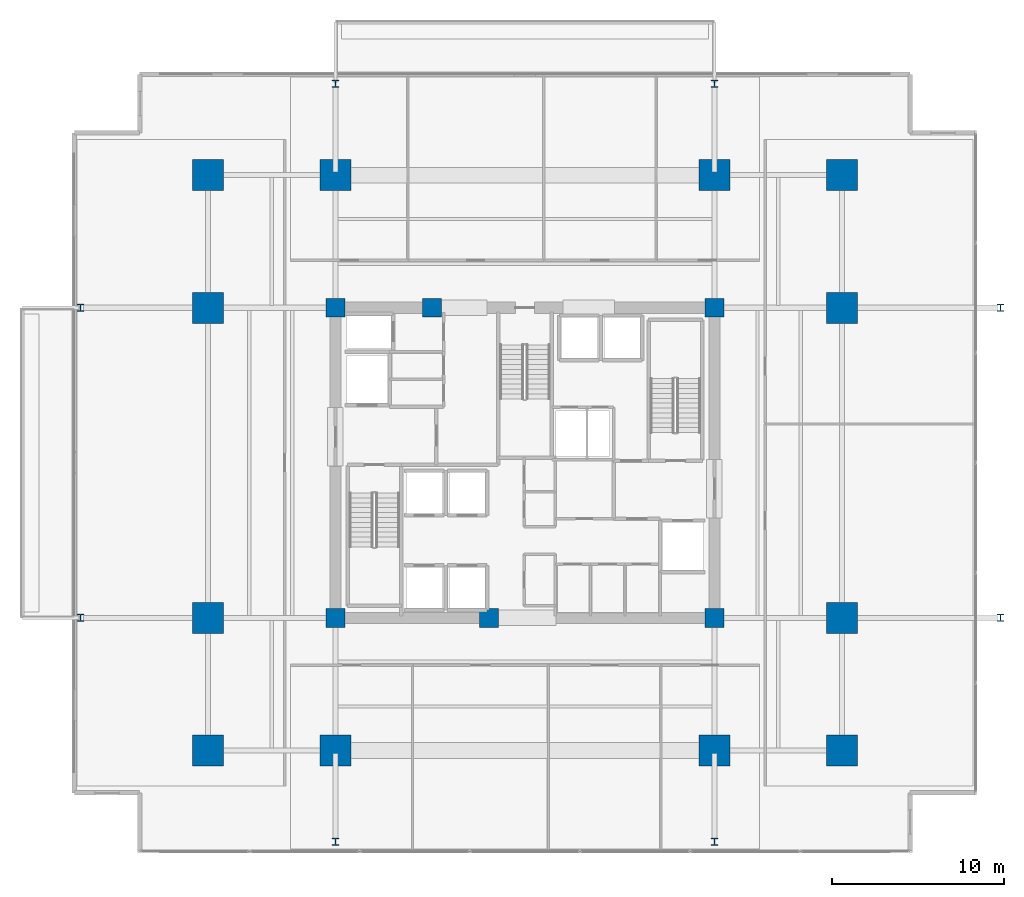
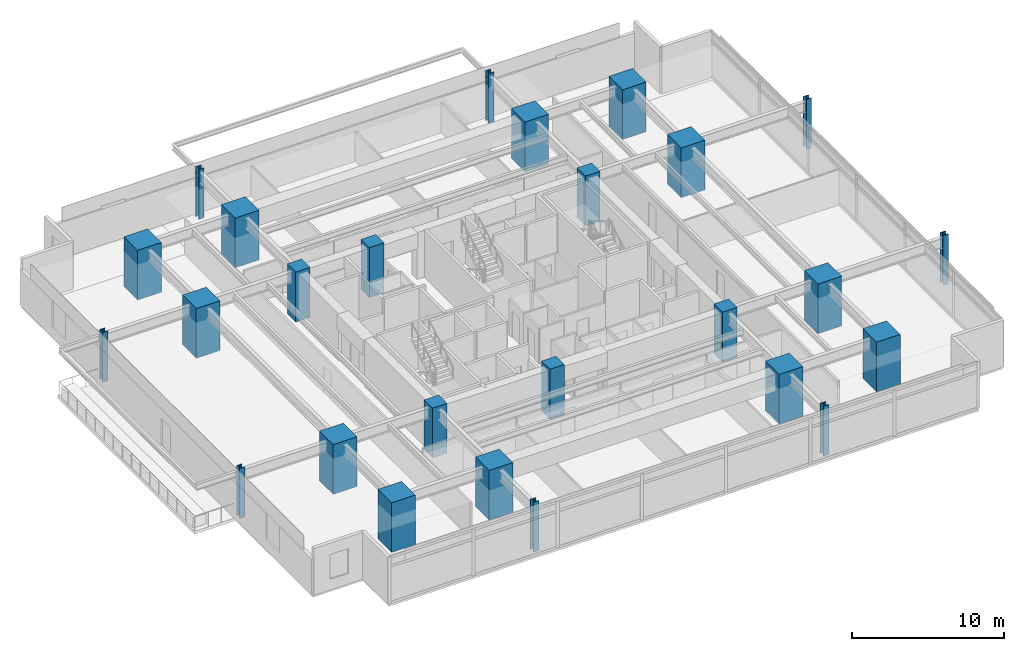
# One storey, part 1 of 20: 26 columns.
"""IFC4 building model written with IfcOpenShell, lengths in metres."""

import ifcopenshell
import ifcopenshell.guid

model = None  # the IFC model being written
_history = None  # IfcOwnerHistory: only IFC2X3 demands one
_inside = {}  # id of a spatial element -> (the spatial element, [elements in it])
_under = {}  # id of a project, library or spatial element -> (it, [spatial elements below it])
_declared = {}  # id of a project -> (the project, [libraries it declares])
_typed = {}  # id of a type object -> (the type object, [elements of that type])
_made_of = {}  # id of a material, layer set ... -> (it, [elements and type objects made of it])


def new_model(schema):
    """Start an empty IFC model of exactly this schema.

    Asked for "IFC4X3", IfcOpenShell would pick the latest addendum, in which some entities
    have other attributes; the version numbers below select the first issue.
    IFC2X3 requires an IfcOwnerHistory on every rooted entity: one is made here for all.
    """
    global model, _history
    if schema == "IFC4X3":
        model = ifcopenshell.file(schema_version=(4, 3, 0, 0))
    else:
        model = ifcopenshell.file(schema=schema)
    _inside.clear()
    _under.clear()
    _declared.clear()
    _typed.clear()
    _made_of.clear()
    _history = None
    if model.schema == "IFC2X3":
        org = make("IfcOrganization", Name="unknown")
        user = make(
            "IfcPersonAndOrganization",
            ThePerson=make("IfcPerson", FamilyName="unknown"),
            TheOrganization=org,
        )
        app = make(
            "IfcApplication",
            ApplicationDeveloper=org,
            Version="unknown",
            ApplicationFullName="unknown",
            ApplicationIdentifier="unknown",
        )
        _history = make(
            "IfcOwnerHistory",
            OwningUser=user,
            OwningApplication=app,
            ChangeAction="ADDED",
            CreationDate=0,
        )
    return model


def make(cls, **values):
    """One entity of the class cls with the attributes given. An attribute that is None is left unset."""
    return model.create_entity(
        cls, **{name: value for name, value in values.items() if value is not None}
    )


def rooted(cls, **values):
    """An entity with a GlobalId (a new one), such as an element, a storey or a relation."""
    return make(cls, GlobalId=ifcopenshell.guid.new(), OwnerHistory=_history, **values)


def si_unit(unit_type, name, prefix=None):
    """IfcSIUnit, for example si_unit("LENGTHUNIT", "METRE", prefix="MILLI")."""
    return make("IfcSIUnit", UnitType=unit_type, Prefix=prefix, Name=name)


def assignment(units):
    """IfcUnitAssignment: the units of a project."""
    return None if units is None else make("IfcUnitAssignment", Units=units)


def point(xyz):
    """IfcCartesianPoint."""
    return None if xyz is None else make("IfcCartesianPoint", Coordinates=xyz)


def direction(xyz):
    """IfcDirection."""
    return None if xyz is None else make("IfcDirection", DirectionRatios=xyz)


def frame(location, z_axis=None, x_axis=None):
    """IfcAxis2Placement3D, a coordinate frame: its origin and axes. An axis left out is left unset."""
    return make(
        "IfcAxis2Placement3D",
        Location=point(location),
        Axis=direction(z_axis),
        RefDirection=direction(x_axis),
    )


def frame_2d(location, x_axis=None):
    """IfcAxis2Placement2D, a coordinate frame in the plane: its origin and x axis."""
    return make(
        "IfcAxis2Placement2D", Location=point(location), RefDirection=direction(x_axis)
    )


def origin():
    """The frame at (0, 0, 0) with its axes left unset."""
    return frame((0.0, 0.0, 0.0))


def origin_2d():
    """The frame at (0, 0) in the plane with its x axis left unset."""
    return frame_2d((0.0, 0.0))


def place(relative_to, where):
    """IfcLocalPlacement: puts the frame where relative to a parent placement (None: the world)."""
    return make(
        "IfcLocalPlacement", PlacementRelTo=relative_to, RelativePlacement=where
    )


def context(
    kind, dimensions, precision=None, world=None, true_north=None, identifier=None
):
    """IfcGeometricRepresentationContext, for example the 3D "Model" context."""
    return make(
        "IfcGeometricRepresentationContext",
        ContextIdentifier=identifier,
        ContextType=kind,
        CoordinateSpaceDimension=dimensions,
        Precision=precision,
        WorldCoordinateSystem=world,
        TrueNorth=true_north,
    )


def subcontext(parent, identifier, kind, view, scale=None):
    """IfcGeometricRepresentationSubContext, for example "Body" below "Model"."""
    return make(
        "IfcGeometricRepresentationSubContext",
        ContextIdentifier=identifier,
        ContextType=kind,
        ParentContext=parent,
        TargetScale=scale,
        TargetView=view,
    )


def project(units=None, contexts=None):
    """IfcProject with its units and contexts."""
    return rooted(
        "IfcProject",
        Name="project",
        RepresentationContexts=contexts,
        UnitsInContext=assignment(units),
    )


def spatial(cls, under=None, at=None, **own):
    """A site, building, storey or space (cls), placed at a placement, below another one or the project."""
    s = rooted(cls, ObjectPlacement=at, **own)
    if under is not None:
        _under.setdefault(under.id(), (under, []))[1].append(s)
    return s


def profile(cls, at=None, kind="AREA", **sizes):
    """A parametric profile (cls). Its sizes go by their IFC names, for example OverallWidth=200.0."""
    return make(cls, ProfileType=kind, Position=at, **sizes)


def rectangle(**sizes):
    """IfcRectangleProfileDef."""
    return profile("IfcRectangleProfileDef", **sizes)


def i_section(**sizes):
    """IfcIShapeProfileDef."""
    return profile("IfcIShapeProfileDef", **sizes)


def extrude(swept, where, along, depth):
    """IfcExtrudedAreaSolid: the profile swept, set in the frame where, extruded along a direction by depth."""
    return make(
        "IfcExtrudedAreaSolid",
        SweptArea=swept,
        Position=where,
        ExtrudedDirection=direction(along),
        Depth=depth,
    )


def shape(context_of_items, identifier, shape_type, items):
    """IfcShapeRepresentation: the items that make up one representation, for example the "Body"."""
    return make(
        "IfcShapeRepresentation",
        ContextOfItems=context_of_items,
        RepresentationIdentifier=identifier,
        RepresentationType=shape_type,
        Items=items,
    )


def material(Name=None, Category=None):
    """IfcMaterial."""
    return make("IfcMaterial", Name=Name, Category=Category)


def material_profile(
    of_material, cross_section, Name=None, Category=None, Priority=None
):
    """IfcMaterialProfile: a cross section and its material."""
    return make(
        "IfcMaterialProfile",
        Name=Name,
        Material=of_material,
        Profile=cross_section,
        Priority=Priority,
        Category=Category,
    )


def profile_set(profiles, Name=None, composite=None):
    """IfcMaterialProfileSet."""
    return make(
        "IfcMaterialProfileSet",
        Name=Name,
        MaterialProfiles=profiles,
        CompositeProfile=composite,
    )


def made_of(thing, what):
    """Note that an element or type object is made of a material, layer set ...; save() writes the relation."""
    if what is not None:
        _made_of.setdefault(what.id(), (what, []))[1].append(thing)
    return thing


def type_object(cls, material=None, **own):
    """A type object (cls), such as IfcWallType, which elements share."""
    return made_of(rooted(cls, **own), material)


def element(
    cls,
    number,
    at=None,
    inside=None,
    cuts=None,
    type_object=None,
    material=None,
    context=None,
    identifier="Body",
    shape_type=None,
    held_by="IfcProductDefinitionShape",
    body=None,
    shapes=None,
    **own,
):
    """One element of the class cls, such as IfcWall. Its Tag is "e" and its number.

    at: its placement. inside: the storey or other place that contains it. cuts: it is an
    opening in that element (IfcRelVoidsElement). A single representation is given by context,
    identifier, shape_type and body (its items); several are given by shapes. held_by: the class
    of the entity that holds the representations. save() writes the other relations.
    """
    e = rooted(cls, Tag="e%d" % number, ObjectPlacement=at, **own)
    if body is not None:
        shapes = [shape(context, identifier, shape_type, body)]
    if shapes is not None:
        e.Representation = make(held_by, Representations=shapes)
    if inside is not None:
        _inside.setdefault(inside.id(), (inside, []))[1].append(e)
    if cuts is not None:
        rooted(
            "IfcRelVoidsElement", RelatingBuildingElement=cuts, RelatedOpeningElement=e
        )
    if type_object is not None:
        _typed.setdefault(type_object.id(), (type_object, []))[1].append(e)
    return made_of(e, material)


def aggregate(whole, parts):
    """IfcRelAggregates: a whole, such as a stair, and the parts it consists of."""
    return rooted("IfcRelAggregates", RelatingObject=whole, RelatedObjects=parts)


def save(model, path):
    """Write the relations noted so far, then the file.

    IfcRelAggregates (storeys below a building ...), IfcRelContainedInSpatialStructure (elements
    in a storey), IfcRelDefinesByType, IfcRelAssociatesMaterial and IfcRelDeclares: one each for
    every whole, place, type object, material and project.
    """
    for whole, parts in _under.values():
        aggregate(whole, parts)
    for where, things in _inside.values():
        rooted(
            "IfcRelContainedInSpatialStructure",
            RelatedElements=things,
            RelatingStructure=where,
        )
    for kind, things in _typed.values():
        rooted("IfcRelDefinesByType", RelatedObjects=things, RelatingType=kind)
    for what, things in _made_of.values():
        rooted("IfcRelAssociatesMaterial", RelatedObjects=things, RelatingMaterial=what)
    for by, libraries in _declared.values():
        rooted("IfcRelDeclares", RelatingContext=by, RelatedDefinitions=libraries)
    model.write(path)


model = new_model("IFC4")

# Units and contexts
model_context = context("Model", 3, precision=1e-05, world=origin(), true_north=direction((0.0, 1.0)))
body_context = subcontext(model_context, "Body", "Model", "MODEL_VIEW")
ifc_project = project(units=[si_unit("LENGTHUNIT", "METRE"), si_unit("AREAUNIT", "SQUARE_METRE"), si_unit("VOLUMEUNIT", "CUBIC_METRE"), si_unit("PLANEANGLEUNIT", "RADIAN"), si_unit("MASSUNIT", "GRAM", prefix="KILO")], contexts=[model_context])

# Site, building, storey
site_placement = place(None, origin())
site = spatial("IfcSite", under=ifc_project, at=site_placement, CompositionType="ELEMENT")
building_placement = place(site_placement, origin())
building = spatial("IfcBuilding", under=site, at=building_placement, Name="Kovane Verandah Tower", CompositionType="ELEMENT")
storey_placement = place(building_placement, frame((0.0, 0.0, 75.60009765625)))
storey = spatial("IfcBuildingStorey", under=building, at=storey_placement, Name="L17", CompositionType="ELEMENT", Elevation=75.60009765625)

# Columns
ifc_material_1 = material(Name="Concrete C80/95", Category="concrete")
ifc_material_profile_1 = material_profile(ifc_material_1, rectangle(XDim=1.800048828125, YDim=1.800048828125, at=origin_2d()), Name="RC1800x1800")
ifc_profile_set_1 = profile_set([ifc_material_profile_1], Name="Concrete C80/95")
column_type_1 = type_object("IfcColumnType", Name="COL-RC1800", PredefinedType="COLUMN", material=ifc_profile_set_1)
for number, where, z_axis, x_axis, name in (
    (1, (29.0, 10.800048828125, 0.0), (0.0, 0.0, 1.0), (1.0, 0.0, 0.0), "L17 Tower Mega-Column MC-S1"),
    (2, (51.0, 10.800048828125, 0.0), (0.0, 0.0, 1.0), (1.0, 0.0, 0.0), "L17 Tower Mega-Column MC-S2"),
    (3, (29.0, 44.199951171875, 0.0), (0.0, 0.0, 1.0), (1.0, 0.0, 0.0), "L17 Tower Mega-Column MC-N1"),
    (4, (51.0, 44.199951171875, 0.0), (0.0, 0.0, 1.0), (1.0, 0.0, 0.0), "L17 Tower Mega-Column MC-N2"),
    (5, (21.60009765625, 18.5, 0.0), (0.0, 0.0, 1.0), (1.0, 0.0, 0.0), "L17 Tower Mega-Column MC-W1"),
    (6, (21.60009765625, 36.5, 0.0), (0.0, 0.0, 1.0), (1.0, 0.0, 0.0), "L17 Tower Mega-Column MC-W2"),
    (7, (58.39990234375, 18.5, 0.0), (0.0, 0.0, 1.0), (1.0, 0.0, 0.0), "L17 Tower Mega-Column MC-E1"),
    (8, (58.39990234375, 36.5, 0.0), (0.0, 0.0, 1.0), (1.0, 0.0, 0.0), "L17 Tower Mega-Column MC-E2"),
    (9, (21.60009765625, 10.800048828125, 0.0), (0.0, 0.0, 1.0), (1.0, 0.0, 0.0), "L17 Tower Mega-Column MC-SW"),
    (10, (58.39990234375, 10.800048828125, 0.0), (0.0, 0.0, 1.0), (1.0, 0.0, 0.0), "L17 Tower Mega-Column MC-SE"),
    (11, (21.60009765625, 44.199951171875, 0.0), (0.0, 0.0, 1.0), (1.0, 0.0, 0.0), "L17 Tower Mega-Column MC-NW"),
    (12, (58.39990234375, 44.199951171875, 0.0), (0.0, 0.0, 1.0), (1.0, 0.0, 0.0), "L17 Tower Mega-Column MC-NE"),
):
    element("IfcColumn", number, at=place(storey_placement, frame(where, z_axis=z_axis, x_axis=x_axis)), inside=storey, type_object=column_type_1, Name=name, PredefinedType="COLUMN", context=body_context, shape_type="SweptSolid", body=[
        extrude(rectangle(XDim=1.800048828125, YDim=1.800048828125, at=origin_2d()), origin(), (0.0, 0.0, 1.0), 4.0),
    ])
ifc_material_2 = material(Name="Steel S460", Category="steel")
ifc_material_profile_2 = material_profile(ifc_material_2, i_section(OverallWidth=0.412109375, OverallDepth=0.4365234375, WebThickness=0.035888671875, FlangeThickness=0.05810546875, FilletRadius=0.01513671875, at=origin_2d()), Name="UC356x406x467")
ifc_profile_set_2 = profile_set([ifc_material_profile_2], Name="Steel S460")
column_type_2 = type_object("IfcColumnType", Name="COL-UC467", PredefinedType="COLUMN", material=ifc_profile_set_2)
for number, where, z_axis, x_axis, name in (
    (13, (14.199951171875, 18.5, 0.0), (0.0, 0.0, 1.0), (1.0, 0.0, 0.0), "L17 Verandah Perimeter Column VC-W1"),
    (14, (14.199951171875, 36.5, 0.0), (0.0, 0.0, 1.0), (1.0, 0.0, 0.0), "L17 Verandah Perimeter Column VC-W2"),
    (15, (67.60009765625, 18.5, 0.0), (0.0, 0.0, 1.0), (1.0, 0.0, 0.0), "L17 Verandah Perimeter Column VC-E1"),
    (16, (67.60009765625, 36.5, 0.0), (0.0, 0.0, 1.0), (1.0, 0.0, 0.0), "L17 Verandah Perimeter Column VC-E2"),
    (17, (29.0, 5.5, 0.0), (0.0, 0.0, 1.0), (1.0, 0.0, 0.0), "L17 Verandah Perimeter Column VC-S1"),
    (18, (51.0, 5.5, 0.0), (0.0, 0.0, 1.0), (1.0, 0.0, 0.0), "L17 Verandah Perimeter Column VC-S2"),
    (19, (29.0, 49.5, 0.0), (0.0, 0.0, 1.0), (1.0, 0.0, 0.0), "L17 Verandah Perimeter Column VC-N1"),
    (20, (51.0, 49.5, 0.0), (0.0, 0.0, 1.0), (1.0, 0.0, 0.0), "L17 Verandah Perimeter Column VC-N2"),
):
    element("IfcColumn", number, at=place(storey_placement, frame(where, z_axis=z_axis, x_axis=x_axis)), inside=storey, type_object=column_type_2, Name=name, PredefinedType="COLUMN", context=body_context, shape_type="SweptSolid", body=[
        extrude(i_section(OverallWidth=0.412109375, OverallDepth=0.4365234375, WebThickness=0.035888671875, FlangeThickness=0.05810546875, FilletRadius=0.01513671875, at=origin_2d()), origin(), (0.0, 0.0, 1.0), 4.0),
    ])
ifc_material_profile_3 = material_profile(ifc_material_1, rectangle(XDim=1.10009765625, YDim=1.10009765625, at=origin_2d()), Name="RC1100x1100")
ifc_profile_set_3 = profile_set([ifc_material_profile_3], Name="Concrete C80/95")
column_type_3 = type_object("IfcColumnType", Name="PIL-RC1100", PredefinedType="PILASTER", material=ifc_profile_set_3)
for number, where, z_axis, x_axis, name in (
    (21, (29.0, 18.5, 0.0), (0.0, 0.0, 1.0), (1.0, 0.0, 0.0), "L17 Core Pilaster CP-SW"),
    (22, (51.0, 18.5, 0.0), (0.0, 0.0, 1.0), (1.0, 0.0, 0.0), "L17 Core Pilaster CP-SE"),
    (23, (29.0, 36.5, 0.0), (0.0, 0.0, 1.0), (1.0, 0.0, 0.0), "L17 Core Pilaster CP-NW"),
    (24, (51.0, 36.5, 0.0), (0.0, 0.0, 1.0), (1.0, 0.0, 0.0), "L17 Core Pilaster CP-NE"),
    (25, (37.89990234375, 18.5, 0.0), (0.0, 0.0, 1.0), (1.0, 0.0, 0.0), "L17 Core Pilaster CP-S"),
    (26, (34.60009765625, 36.5, 0.0), (0.0, 0.0, 1.0), (1.0, 0.0, 0.0), "L17 Core Pilaster CP-N"),
):
    element("IfcColumn", number, at=place(storey_placement, frame(where, z_axis=z_axis, x_axis=x_axis)), inside=storey, type_object=column_type_3, Name=name, PredefinedType="PILASTER", context=body_context, shape_type="SweptSolid", body=[
        extrude(rectangle(XDim=1.10009765625, YDim=1.10009765625, at=origin_2d()), origin(), (0.0, 0.0, 1.0), 4.0),
    ])

save(model, "model.ifc")
